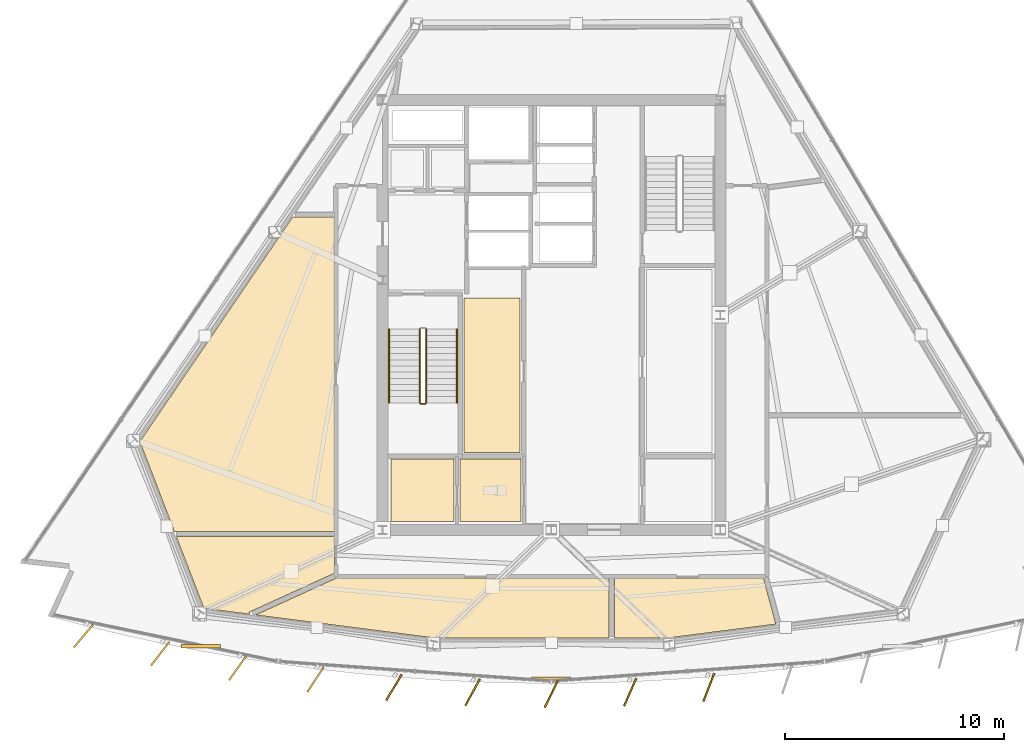
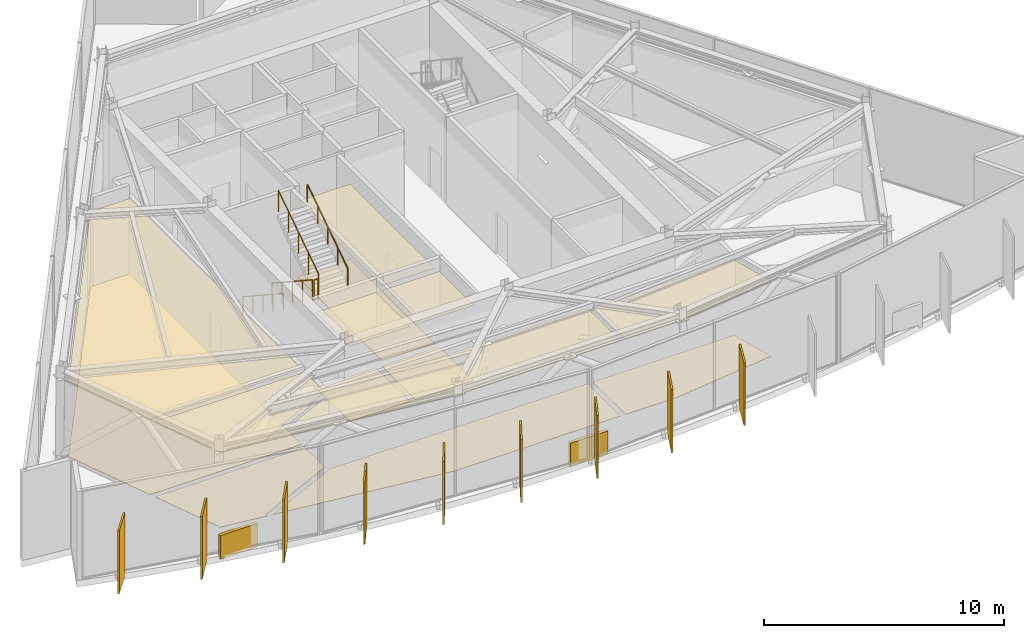
# One storey, part 11 of 14: 14 coverings, 11 shading devices, 5 railings.
"""IFC4 building model written with IfcOpenShell, lengths in metres."""

from ifc_helpers import new_model, si_unit, direction, frame, origin, origin_2d, place, context, subcontext, project, spatial, polyline, rectangle, circle, outline, extrude, material, layer, layer_set, type_object, element, save


model = new_model("IFC4")

# Units and contexts
model_context = context("Model", 3, precision=1e-05, world=origin(), true_north=direction((0.0, 1.0)))
body_context = subcontext(model_context, "Body", "Model", "MODEL_VIEW")
ifc_project = project(units=[si_unit("LENGTHUNIT", "METRE"), si_unit("AREAUNIT", "SQUARE_METRE"), si_unit("VOLUMEUNIT", "CUBIC_METRE"), si_unit("PLANEANGLEUNIT", "RADIAN"), si_unit("MASSUNIT", "GRAM", prefix="KILO")], contexts=[model_context])

# Site, building, storey
site_placement = place(None, origin())
site = spatial("IfcSite", under=ifc_project, at=site_placement, CompositionType="ELEMENT")
building_placement = place(site_placement, origin())
building = spatial("IfcBuilding", under=site, at=building_placement, Name="Savorim Split Tower", CompositionType="ELEMENT")
storey_placement = place(building_placement, frame((0.0, 0.0, 241.5)))
storey = spatial("IfcBuildingStorey", under=building, at=storey_placement, Name="L64", CompositionType="ELEMENT", Elevation=241.5)

# Coverings
ifc_material_1 = material(Name="Mineral Fibre Acoustic Ceiling")
ifc_layer_1 = layer(ifc_material_1, 0.02490234375)
ifc_layer_set_1 = layer_set([ifc_layer_1], Name="COV-CEIL-25")
covering_type_1 = type_object("IfcCoveringType", Name="COV-CEIL-25", PredefinedType="CEILING", material=ifc_layer_set_1)
covering_1_placement = place(storey_placement, frame((0.0, 0.0, 3.820068359375)))
element("IfcCovering", 1, at=covering_1_placement, inside=storey, type_object=covering_type_1, Name="L64 Heat Recovery Plant Room Acoustic Ceiling", PredefinedType="CEILING", context=body_context, shape_type="SweptSolid", body=[
    extrude(outline(polyline([(-3.969970703125, 1.169921875), (-3.969970703125, -5.8701171875), (-1.429931640625, -5.8701171875), (-1.429931640625, 1.169921875), (-3.969970703125, 1.169921875)])), origin(), (0.0, 0.0, 1.0), 0.02490234375),
])
covering_2_placement = place(storey_placement, frame((0.0, 0.0, 3.820068359375)))
element("IfcCovering", 2, at=covering_2_placement, inside=storey, type_object=covering_type_1, Name="L64 Pressurisation Plant Room Acoustic Ceiling", PredefinedType="CEILING", context=body_context, shape_type="SweptSolid", body=[
    extrude(outline(polyline([(-7.320068359375, -6.179931640625), (-7.320068359375, -9.02001953125), (-4.429931640625, -9.02001953125), (-4.429931640625, -6.179931640625), (-7.320068359375, -6.179931640625)])), origin(), (0.0, 0.0, 1.0), 0.02490234375),
])
covering_3_placement = place(storey_placement, frame((0.0, 0.0, 3.820068359375)))
element("IfcCovering", 3, at=covering_3_placement, inside=storey, type_object=covering_type_1, Name="L64 Accessible WC Acoustic Ceiling", PredefinedType="CEILING", context=body_context, shape_type="SweptSolid", body=[
    extrude(outline(polyline([(-4.169921875, -6.179931640625), (-4.169921875, -9.02001953125), (-1.3798828125, -9.02001953125), (-1.3798828125, -6.179931640625), (-4.169921875, -6.179931640625)])), origin(), (0.0, 0.0, 1.0), 0.02490234375),
])
covering_4_placement = place(storey_placement, frame((0.0, 0.0, 3.820068359375)))
element("IfcCovering", 4, at=covering_4_placement, inside=storey, type_object=covering_type_1, Name="L64 Refuge Area West Acoustic Ceiling", PredefinedType="CEILING", context=body_context, shape_type="SweptSolid", body=[
    extrude(outline(polyline([(-11.653564453125, 4.851806640625), (-11.773681640625, 4.851806640625), (-11.773681640625, 4.88427734375), (-12.371337890625, 4.005615234375), (-18.75341796875, -5.376220703125), (-17.185302734375, -9.46337890625), (-9.889892578125, -9.46337890625), (-9.889892578125, 4.851806640625), (-11.653564453125, 4.851806640625)])), origin(), (0.0, 0.0, 1.0), 0.02490234375),
])
covering_5_placement = place(storey_placement, frame((0.0, 0.0, 3.820068359375)))
element("IfcCovering", 5, at=covering_5_placement, inside=storey, type_object=covering_type_1, Name="L64 AHU Mechanical Plant Room 1 Acoustic Ceiling", PredefinedType="CEILING", context=body_context, shape_type="SweptSolid", body=[
    extrude(outline(polyline([(-17.085693359375, -9.70361328125), (-17.09326171875, -9.70361328125), (-15.838134765625, -12.974609375), (-13.73193359375, -13.244873046875), (-13.775146484375, -13.150146484375), (-9.928955078125, -11.394287109375), (-9.889892578125, -11.376708984375), (-9.889892578125, -9.70361328125), (-17.085693359375, -9.70361328125)])), origin(), (0.0, 0.0, 1.0), 0.02490234375),
])
covering_6_placement = place(storey_placement, frame((0.0, 0.0, 3.820068359375)))
element("IfcCovering", 6, at=covering_6_placement, inside=storey, type_object=covering_type_1, Name="L64 Refuge Area North-West Acoustic Ceiling", PredefinedType="CEILING", context=body_context, shape_type="SweptSolid", body=[
    extrude(outline(polyline([(-9.774658203125, -11.587646484375), (-13.476806640625, -13.277587890625), (-5.35791015625, -14.320068359375), (2.627685546875, -14.320068359375), (2.627685546875, -11.590087890625), (-9.75, -11.590087890625), (-9.763671875, -11.58935546875), (-9.774658203125, -11.587646484375)])), origin(), (0.0, 0.0, 1.0), 0.02490234375),
])
covering_7_placement = place(storey_placement, frame((0.0, 0.0, 3.820068359375)))
element("IfcCovering", 7, at=covering_7_placement, inside=storey, type_object=covering_type_1, Name="L64 Chiller Plant Room 1 Acoustic Ceiling", PredefinedType="CEILING", context=body_context, shape_type="SweptSolid", body=[
    extrude(outline(polyline([(2.86767578125, -14.27001953125), (2.86767578125, -14.320068359375), (5.35791015625, -14.320068359375), (10.234619140625, -13.694091796875), (9.6748046875, -11.614990234375), (9.66796875, -11.590087890625), (2.86767578125, -11.590087890625), (2.86767578125, -14.27001953125)])), origin(), (0.0, 0.0, 1.0), 0.02490234375),
])
ifc_material_2 = material(Name="Porcelain Stoneware Flooring", Category="masonry")
ifc_layer_2 = layer(ifc_material_2, 0.02001953125)
ifc_layer_set_2 = layer_set([ifc_layer_2], Name="COV-FLOR-20")
covering_type_2 = type_object("IfcCoveringType", Name="COV-FLOR-20", PredefinedType="FLOORING", material=ifc_layer_set_2)
covering_8_placement = place(storey_placement, origin())
element("IfcCovering", 8, at=covering_8_placement, inside=storey, type_object=covering_type_2, Name="L64 Heat Recovery Plant Room Porcelain Flooring", PredefinedType="FLOORING", context=body_context, shape_type="SweptSolid", body=[
    extrude(outline(polyline([(-3.969970703125, 1.169921875), (-3.969970703125, -5.8701171875), (-1.429931640625, -5.8701171875), (-1.429931640625, 1.169921875), (-3.969970703125, 1.169921875)])), origin(), (0.0, 0.0, 1.0), 0.02001953125),
])
covering_9_placement = place(storey_placement, origin())
element("IfcCovering", 9, at=covering_9_placement, inside=storey, type_object=covering_type_2, Name="L64 Pressurisation Plant Room Porcelain Flooring", PredefinedType="FLOORING", context=body_context, shape_type="SweptSolid", body=[
    extrude(outline(polyline([(-7.320068359375, -6.179931640625), (-7.320068359375, -9.02001953125), (-4.429931640625, -9.02001953125), (-4.429931640625, -6.179931640625), (-7.320068359375, -6.179931640625)])), origin(), (0.0, 0.0, 1.0), 0.02001953125),
])
covering_10_placement = place(storey_placement, origin())
element("IfcCovering", 10, at=covering_10_placement, inside=storey, type_object=covering_type_2, Name="L64 Accessible WC Porcelain Flooring", PredefinedType="FLOORING", context=body_context, shape_type="SweptSolid", body=[
    extrude(outline(polyline([(-4.169921875, -6.179931640625), (-4.169921875, -9.02001953125), (-1.3798828125, -9.02001953125), (-1.3798828125, -6.179931640625), (-4.169921875, -6.179931640625)])), origin(), (0.0, 0.0, 1.0), 0.02001953125),
])
covering_11_placement = place(storey_placement, origin())
element("IfcCovering", 11, at=covering_11_placement, inside=storey, type_object=covering_type_2, Name="L64 Refuge Area West Porcelain Flooring", PredefinedType="FLOORING", context=body_context, shape_type="SweptSolid", body=[
    extrude(outline(polyline([(-11.653564453125, 4.851806640625), (-11.773681640625, 4.851806640625), (-11.773681640625, 4.88427734375), (-12.371337890625, 4.005615234375), (-18.75341796875, -5.376220703125), (-17.185302734375, -9.46337890625), (-9.889892578125, -9.46337890625), (-9.889892578125, 4.851806640625), (-11.653564453125, 4.851806640625)])), origin(), (0.0, 0.0, 1.0), 0.02001953125),
])
covering_12_placement = place(storey_placement, origin())
element("IfcCovering", 12, at=covering_12_placement, inside=storey, type_object=covering_type_2, Name="L64 AHU Mechanical Plant Room 1 Porcelain Flooring", PredefinedType="FLOORING", context=body_context, shape_type="SweptSolid", body=[
    extrude(outline(polyline([(-17.085693359375, -9.70361328125), (-17.09326171875, -9.70361328125), (-15.838134765625, -12.974609375), (-13.73193359375, -13.244873046875), (-13.775146484375, -13.150146484375), (-9.928955078125, -11.394287109375), (-9.889892578125, -11.376708984375), (-9.889892578125, -9.70361328125), (-17.085693359375, -9.70361328125)])), origin(), (0.0, 0.0, 1.0), 0.02001953125),
])
covering_13_placement = place(storey_placement, origin())
element("IfcCovering", 13, at=covering_13_placement, inside=storey, type_object=covering_type_2, Name="L64 Refuge Area North-West Porcelain Flooring", PredefinedType="FLOORING", context=body_context, shape_type="SweptSolid", body=[
    extrude(outline(polyline([(-9.774658203125, -11.587646484375), (-13.476806640625, -13.277587890625), (-5.35791015625, -14.320068359375), (2.627685546875, -14.320068359375), (2.627685546875, -11.590087890625), (-9.75, -11.590087890625), (-9.763671875, -11.58935546875), (-9.774658203125, -11.587646484375)])), origin(), (0.0, 0.0, 1.0), 0.02001953125),
])
covering_14_placement = place(storey_placement, origin())
element("IfcCovering", 14, at=covering_14_placement, inside=storey, type_object=covering_type_2, Name="L64 Chiller Plant Room 1 Porcelain Flooring", PredefinedType="FLOORING", context=body_context, shape_type="SweptSolid", body=[
    extrude(outline(polyline([(2.86767578125, -14.27001953125), (2.86767578125, -14.320068359375), (5.35791015625, -14.320068359375), (10.234619140625, -13.694091796875), (9.6748046875, -11.614990234375), (9.66796875, -11.590087890625), (2.86767578125, -11.590087890625), (2.86767578125, -14.27001953125)])), origin(), (0.0, 0.0, 1.0), 0.02001953125),
])

# Railings
ifc_material_3 = material(Name="Galvanised Painted Steel Balustrade", Category="steel")
railing_type_1 = type_object("IfcRailingType", Name="RLG-HR-900", PredefinedType="HANDRAIL", material=ifc_material_3)
railing_1_placement = place(storey_placement, frame((-7.39990234375, -0.25, 0.1845703125)))
element("IfcRailing", 15, at=railing_1_placement, inside=storey, type_object=railing_type_1, Name="L64 ST-1 stair handrail 1", PredefinedType="HANDRAIL", context=body_context, shape_type="SweptSolid", body=[
    extrude(circle(Radius=0.02392578125, at=origin_2d()), frame((0.0, 0.0, 0.8759765625), z_axis=(0.0, -0.834876476806, 0.550437342915), x_axis=(1.0, 0.0, 0.0)), (0.0, 0.0, 1.0), 4.024658203125),
    extrude(circle(Radius=0.02099609375, at=origin_2d()), origin(), (0.0, 0.0, 1.0), 0.851806640625),
    extrude(circle(Radius=0.02099609375, at=origin_2d()), frame((0.0, -0.840087890625, 0.5537109375)), (0.0, 0.0, 1.0), 0.851806640625),
    extrude(circle(Radius=0.02099609375, at=origin_2d()), frame((0.0, -1.68017578125, 1.107666015625)), (0.0, 0.0, 1.0), 0.851806640625),
    extrude(circle(Radius=0.02099609375, at=origin_2d()), frame((0.0, -2.52001953125, 1.66162109375)), (0.0, 0.0, 1.0), 0.851806640625),
    extrude(circle(Radius=0.02099609375, at=origin_2d()), frame((0.0, -3.360107421875, 2.21533203125)), (0.0, 0.0, 1.0), 0.851806640625),
])
railing_2_placement = place(storey_placement, frame((-4.300048828125, -3.610107421875, 2.584716796875)))
element("IfcRailing", 16, at=railing_2_placement, inside=storey, type_object=railing_type_1, Name="L64 ST-1 stair handrail 2", PredefinedType="HANDRAIL", context=body_context, shape_type="SweptSolid", body=[
    extrude(circle(Radius=0.02392578125, at=origin_2d()), frame((0.0, 0.0, 0.8759765625), z_axis=(0.0, 0.834876476806, 0.550437342915), x_axis=(-1.0, 0.0, 0.0)), (0.0, 0.0, 1.0), 4.024658203125),
    extrude(circle(Radius=0.02099609375, at=origin_2d()), origin(), (0.0, 0.0, 1.0), 0.851806640625),
    extrude(circle(Radius=0.02099609375, at=origin_2d()), frame((0.0, 0.840087890625, 0.5537109375)), (0.0, 0.0, 1.0), 0.851806640625),
    extrude(circle(Radius=0.02099609375, at=origin_2d()), frame((0.0, 1.68017578125, 1.107666015625)), (0.0, 0.0, 1.0), 0.851806640625),
    extrude(circle(Radius=0.02099609375, at=origin_2d()), frame((0.0, 2.52001953125, 1.66162109375)), (0.0, 0.0, 1.0), 0.851806640625),
    extrude(circle(Radius=0.02099609375, at=origin_2d()), frame((0.0, 3.360107421875, 2.21533203125)), (0.0, 0.0, 1.0), 0.851806640625),
])
railing_type_2 = type_object("IfcRailingType", Name="RLG-STG-1100", PredefinedType="BALUSTRADE", material=ifc_material_3)
railing_3_placement = place(storey_placement, frame((-6.0, -0.25, 0.1845703125)))
element("IfcRailing", 17, at=railing_3_placement, inside=storey, type_object=railing_type_2, Name="L64 ST-1 stair guard 1", PredefinedType="BALUSTRADE", context=body_context, shape_type="SweptSolid", body=[
    extrude(circle(Radius=0.02392578125, at=origin_2d()), frame((0.0, 0.0, 1.076171875), z_axis=(0.0, -0.834876476806, 0.550437342915), x_axis=(1.0, 0.0, 0.0)), (0.0, 0.0, 1.0), 4.024658203125),
    extrude(circle(Radius=0.02099609375, at=origin_2d()), origin(), (0.0, 0.0, 1.0), 1.052001953125),
    extrude(circle(Radius=0.02099609375, at=origin_2d()), frame((0.0, -0.840087890625, 0.5537109375)), (0.0, 0.0, 1.0), 1.052001953125),
    extrude(circle(Radius=0.02099609375, at=origin_2d()), frame((0.0, -1.68017578125, 1.107666015625)), (0.0, 0.0, 1.0), 1.052001953125),
    extrude(circle(Radius=0.02099609375, at=origin_2d()), frame((0.0, -2.52001953125, 1.66162109375)), (0.0, 0.0, 1.0), 1.052001953125),
    extrude(circle(Radius=0.02099609375, at=origin_2d()), frame((0.0, -3.360107421875, 2.21533203125)), (0.0, 0.0, 1.0), 1.052001953125),
])
railing_4_placement = place(storey_placement, frame((-5.949951171875, -3.659912109375, 2.39990234375)))
element("IfcRailing", 18, at=railing_4_placement, inside=storey, type_object=railing_type_2, Name="L64 ST-1 stair guard 2", PredefinedType="BALUSTRADE", context=body_context, shape_type="SweptSolid", body=[
    extrude(circle(Radius=0.02392578125, at=origin_2d()), frame((0.0, 0.0, 1.076171875), z_axis=(1.0, 0.0, 0.0), x_axis=(0.0, 1.0, 0.0)), (0.0, 0.0, 1.0), 0.199951171875),
    extrude(circle(Radius=0.02099609375, at=origin_2d()), origin(), (0.0, 0.0, 1.0), 1.052001953125),
    extrude(circle(Radius=0.02099609375, at=origin_2d()), frame((0.199951171875, 0.0, 0.0)), (0.0, 0.0, 1.0), 1.052001953125),
])
railing_5_placement = place(storey_placement, frame((-5.699951171875, -3.610107421875, 2.584716796875)))
element("IfcRailing", 19, at=railing_5_placement, inside=storey, type_object=railing_type_2, Name="L64 ST-1 stair guard 3", PredefinedType="BALUSTRADE", context=body_context, shape_type="SweptSolid", body=[
    extrude(circle(Radius=0.02392578125, at=origin_2d()), frame((0.0, 0.0, 1.076171875), z_axis=(0.0, 0.834876476806, 0.550437342915), x_axis=(-1.0, 0.0, 0.0)), (0.0, 0.0, 1.0), 4.024658203125),
    extrude(circle(Radius=0.02099609375, at=origin_2d()), origin(), (0.0, 0.0, 1.0), 1.052001953125),
    extrude(circle(Radius=0.02099609375, at=origin_2d()), frame((0.0, 0.840087890625, 0.5537109375)), (0.0, 0.0, 1.0), 1.052001953125),
    extrude(circle(Radius=0.02099609375, at=origin_2d()), frame((0.0, 1.68017578125, 1.107666015625)), (0.0, 0.0, 1.0), 1.052001953125),
    extrude(circle(Radius=0.02099609375, at=origin_2d()), frame((0.0, 2.52001953125, 1.66162109375)), (0.0, 0.0, 1.0), 1.052001953125),
    extrude(circle(Radius=0.02099609375, at=origin_2d()), frame((0.0, 3.360107421875, 2.21533203125)), (0.0, 0.0, 1.0), 1.052001953125),
])

# Shading devices
ifc_material_4 = material(Name="Terracotta Ceramic-Coated Aluminium Fin", Category="masonry")
shading_device_type_1 = type_object("IfcShadingDeviceType", Name="SHD-FIN-1360", PredefinedType="USERDEFINED", material=ifc_material_4)
for number, where, z_axis, x_axis, name in (
    (20, (-21.3349609375, -14.246337890625, -0.2001953125), (0.0, 0.0, 1.0), (-0.643719022682, -0.765261928909, 0.0), "L64 Sawtooth Shading Fin 01"),
    (21, (-17.833984375, -15.048095703125, -0.2001953125), (0.0, 0.0, 1.0), (-0.611868076908, -0.790959832394, 0.0), "L64 Sawtooth Shading Fin 02"),
    (22, (-14.302978515625, -15.705810546875, -0.2001953125), (0.0, 0.0, 1.0), (-0.578993757737, -0.815331974414, 0.0), "L64 Sawtooth Shading Fin 03"),
    (23, (-10.748291015625, -16.218505859375, -0.2001953125), (0.0, 0.0, 1.0), (-0.545148321708, -0.838339613366, 0.0), "L64 Sawtooth Shading Fin 04"),
    (24, (-7.175537109375, -16.58544921875, -0.2001953125), (0.0, 0.0, 1.0), (-0.510391336723, -0.859942255851, 0.0), "L64 Sawtooth Shading Fin 05"),
    (25, (-3.5908203125, -16.8056640625, -0.2001953125), (0.0, 0.0, 1.0), (-0.474778051978, -0.880105562623, 0.0), "L64 Sawtooth Shading Fin 06"),
    (26, (0.0, -16.879150390625, -0.2001953125), (0.0, 0.0, 1.0), (-0.438371146789, -0.898794046299, 0.0), "L64 Sawtooth Shading Fin 07"),
    (27, (3.5908203125, -16.8056640625, -0.2001953125), (0.0, 0.0, 1.0), (-0.401230091723, -0.915977299662, 0.0), "L64 Sawtooth Shading Fin 08"),
    (28, (7.175537109375, -16.58544921875, -0.2001953125), (0.0, 0.0, 1.0), (-0.363415461732, -0.931627179817, 0.0), "L64 Sawtooth Shading Fin 09"),
):
    element("IfcShadingDevice", number, at=place(storey_placement, frame(where, z_axis=z_axis, x_axis=x_axis)), inside=storey, type_object=shading_device_type_1, Name=name, ObjectType="FIN", PredefinedType="USERDEFINED", context=body_context, shape_type="SweptSolid", body=[
        extrude(rectangle(XDim=1.360107421875, YDim=0.080078125, at=origin_2d()), origin(), (0.0, 0.0, 1.0), 3.199951171875),
    ])
ifc_material_5 = material(Name="Charcoal Anodised Aluminium", Category="aluminium")
shading_device_type_2 = type_object("IfcShadingDeviceType", Name="SHD-LVR-1800", PredefinedType="USERDEFINED", material=ifc_material_5)
for number, where, z_axis, x_axis, name in (
    (29, (-15.984619140625, -14.70703125, -0.14990234375), (0.0, 0.0, 1.0), (1.0, 0.0, 0.0), "L64 Plant Acoustic Louvre 1"),
    (30, (0.0, -16.18310546875, -0.14990234375), (0.0, 0.0, 1.0), (1.0, 0.0, 0.0), "L64 Plant Acoustic Louvre 2"),
):
    element("IfcShadingDevice", number, at=place(storey_placement, frame(where, z_axis=z_axis, x_axis=x_axis)), inside=storey, type_object=shading_device_type_2, Name=name, ObjectType="LOUVRE", PredefinedType="USERDEFINED", context=body_context, shape_type="SweptSolid", body=[
        extrude(rectangle(XDim=1.800048828125, YDim=0.159912109375, at=origin_2d()), origin(), (0.0, 0.0, 1.0), 1.199951171875),
    ])

save(model, "model.ifc")
